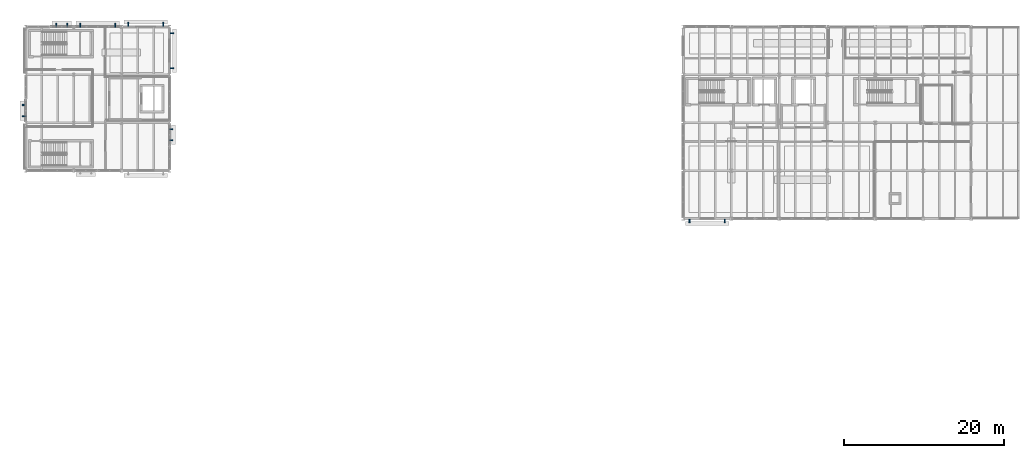
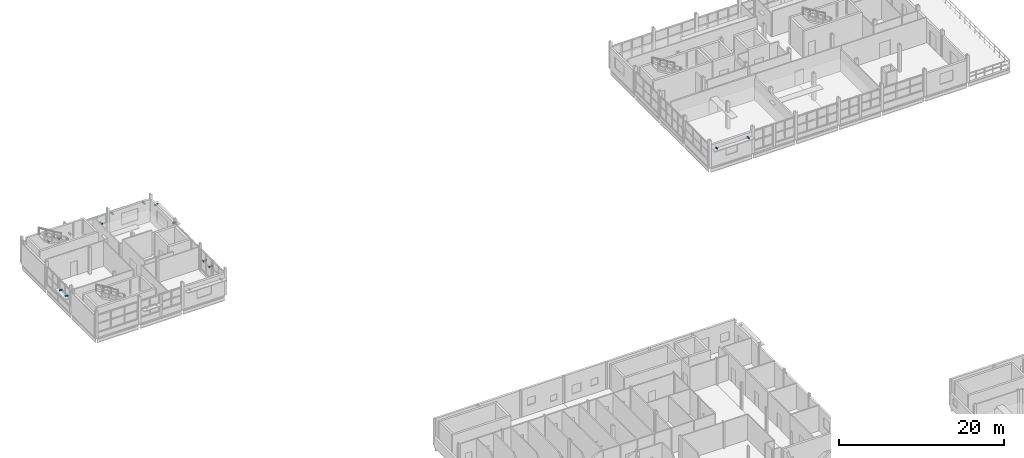
# One storey, part 42 of 45: 14 discrete accessories.
"""IFC4 building model written with IfcOpenShell, lengths in metres."""

from ifc_helpers import new_model, si_unit, direction, frame, origin, origin_2d, place, context, subcontext, project, spatial, rectangle, extrude, material, type_object, element, save


model = new_model("IFC4")

# Units and contexts
model_context = context("Model", 3, precision=1e-05, world=origin(), true_north=direction((0.0, 1.0)))
body_context = subcontext(model_context, "Body", "Model", "MODEL_VIEW")
ifc_project = project(units=[si_unit("LENGTHUNIT", "METRE"), si_unit("AREAUNIT", "SQUARE_METRE"), si_unit("VOLUMEUNIT", "CUBIC_METRE"), si_unit("PLANEANGLEUNIT", "RADIAN"), si_unit("MASSUNIT", "GRAM", prefix="KILO")], contexts=[model_context])

# Site, building, storey
site_placement = place(None, origin())
site = spatial("IfcSite", under=ifc_project, at=site_placement, CompositionType="ELEMENT")
building_placement = place(site_placement, origin())
building = spatial("IfcBuilding", under=site, at=building_placement, Name="Siltcreek Boulevard Central Fire Station", CompositionType="ELEMENT")
storey_placement = place(building_placement, frame((0.0, 0.0, 10.0)))
storey = spatial("IfcBuildingStorey", under=building, at=storey_placement, Name="L03", CompositionType="ELEMENT", Elevation=10.0)

# Discrete accessories
ifc_material = material(Name="Hot-dip galvanized steel facade outrigger bracket", Category="steel")
discrete_accessory_type = type_object("IfcDiscreteAccessoryType", Name="ACC_BRACKET", PredefinedType="BRACKET", material=ifc_material)
for number, where, z_axis, x_axis, name in (
    (1, (47.205078125, 112.3798828125, 1.70458984375), (0.0, 0.0, 1.0), (-1.0, 0.0, 0.0), "Galvanized sunshade support bracket BK-067"),
    (2, (45.7900390625, 112.3798828125, 1.70458984375), (0.0, 0.0, 1.0), (-1.0, 0.0, 0.0), "Galvanized sunshade support bracket BK-068"),
    (3, (53.205078125, 112.3798828125, 1.82470703125), (0.0, 0.0, 1.0), (-1.0, 0.0, 0.0), "Galvanized sunshade support bracket BK-069"),
    (4, (48.794921875, 112.3798828125, 1.82470703125), (0.0, 0.0, 1.0), (-1.0, 0.0, 0.0), "Galvanized sunshade support bracket BK-070"),
    (5, (59.205078125, 112.5048828125, 2.64013671875), (0.0, 0.0, 1.0), (-1.0, 0.0, 0.0), "Galvanized sunshade support bracket BK-071"),
    (6, (54.794921875, 112.5048828125, 2.64013671875), (0.0, 0.0, 1.0), (-1.0, 0.0, 0.0), "Galvanized sunshade support bracket BK-072"),
    (7, (41.820068359375, 102.409912109375, 1.94677734375), (0.0, 0.0, 1.0), (0.0, -1.0, 0.0), "Galvanized sunshade support bracket BK-073"),
    (8, (41.820068359375, 100.9951171875, 1.94677734375), (0.0, 0.0, 1.0), (0.0, -1.0, 0.0), "Galvanized sunshade support bracket BK-074"),
    (9, (60.179931640625, 97.989990234375, 1.70654296875), (0.0, 0.0, 1.0), (0.0, 1.0, 0.0), "Galvanized sunshade support bracket BK-075"),
    (10, (60.179931640625, 99.405029296875, 1.70654296875), (0.0, 0.0, 1.0), (0.0, 1.0, 0.0), "Galvanized sunshade support bracket BK-076"),
    (11, (60.304931640625, 106.9951171875, 2.64013671875), (0.0, 0.0, 1.0), (0.0, 1.0, 0.0), "Galvanized sunshade support bracket BK-077"),
    (12, (60.304931640625, 111.405029296875, 2.64013671875), (0.0, 0.0, 1.0), (0.0, 1.0, 0.0), "Galvanized sunshade support bracket BK-078"),
    (13, (124.9951171875, 87.89501953125, 2.58984375), (0.0, 0.0, 1.0), (1.0, 0.0, 0.0), "Galvanized sunshade support bracket BK-203"),
    (14, (129.405029296875, 87.89501953125, 2.58984375), (0.0, 0.0, 1.0), (1.0, 0.0, 0.0), "Galvanized sunshade support bracket BK-204"),
):
    element("IfcDiscreteAccessory", number, at=place(storey_placement, frame(where, z_axis=z_axis, x_axis=x_axis)), inside=storey, type_object=discrete_accessory_type, Name=name, PredefinedType="BRACKET", context=body_context, shape_type="SweptSolid", body=[
        extrude(rectangle(XDim=0.139892578125, YDim=0.4599609375, at=origin_2d()), origin(), (0.0, 0.0, 1.0), 0.159912109375),
    ])

save(model, "model.ifc")
